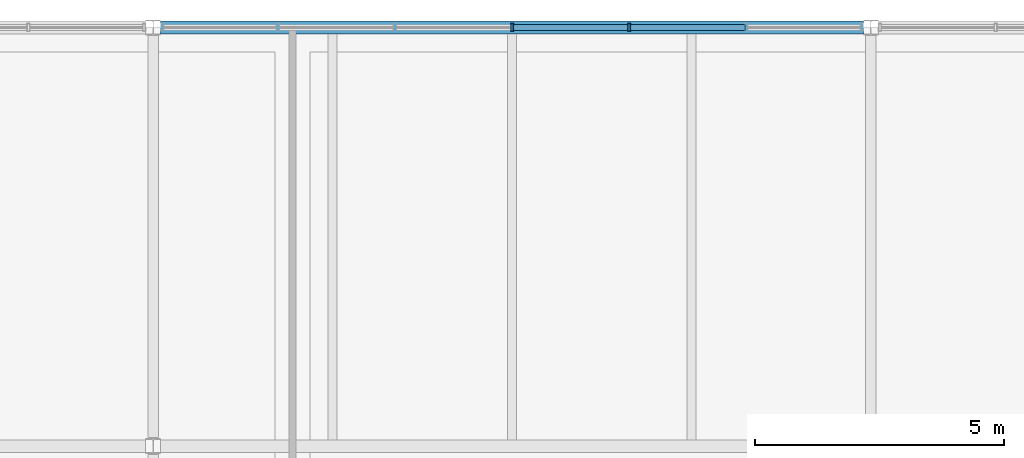
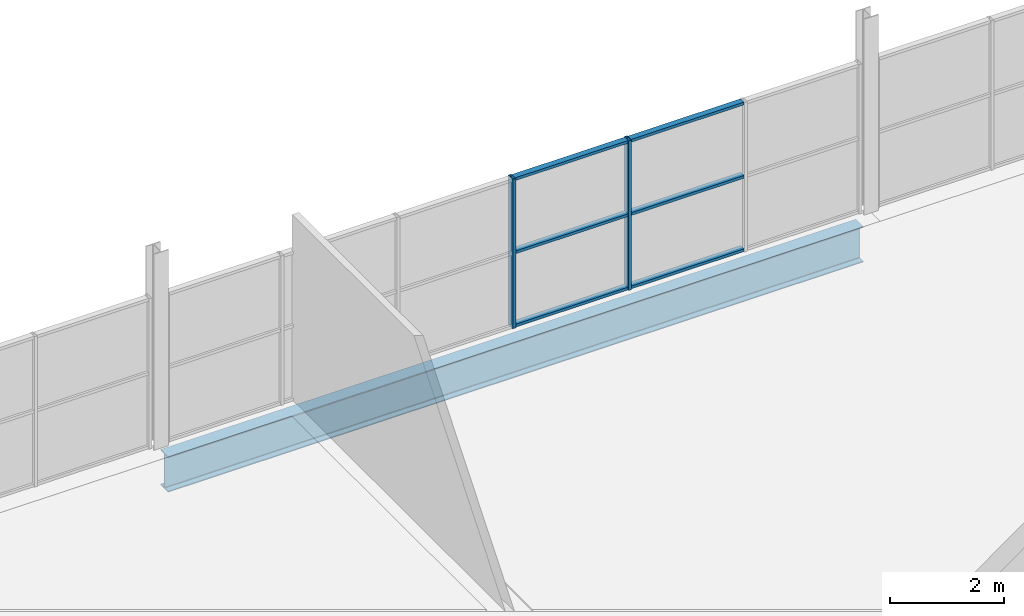
# One storey, part 36 of 68: 8 members, 1 beam, 1 element without a shape of its own.
"""IFC4 building model written with IfcOpenShell, lengths in metres."""

import ifcopenshell
import ifcopenshell.guid

model = None  # the IFC model being written
_history = None  # IfcOwnerHistory: only IFC2X3 demands one
_inside = {}  # id of a spatial element -> (the spatial element, [elements in it])
_under = {}  # id of a project, library or spatial element -> (it, [spatial elements below it])
_declared = {}  # id of a project -> (the project, [libraries it declares])
_typed = {}  # id of a type object -> (the type object, [elements of that type])
_made_of = {}  # id of a material, layer set ... -> (it, [elements and type objects made of it])


def new_model(schema):
    """Start an empty IFC model of exactly this schema.

    Asked for "IFC4X3", IfcOpenShell would pick the latest addendum, in which some entities
    have other attributes; the version numbers below select the first issue.
    IFC2X3 requires an IfcOwnerHistory on every rooted entity: one is made here for all.
    """
    global model, _history
    if schema == "IFC4X3":
        model = ifcopenshell.file(schema_version=(4, 3, 0, 0))
    else:
        model = ifcopenshell.file(schema=schema)
    _inside.clear()
    _under.clear()
    _declared.clear()
    _typed.clear()
    _made_of.clear()
    _history = None
    if model.schema == "IFC2X3":
        org = make("IfcOrganization", Name="unknown")
        user = make(
            "IfcPersonAndOrganization",
            ThePerson=make("IfcPerson", FamilyName="unknown"),
            TheOrganization=org,
        )
        app = make(
            "IfcApplication",
            ApplicationDeveloper=org,
            Version="unknown",
            ApplicationFullName="unknown",
            ApplicationIdentifier="unknown",
        )
        _history = make(
            "IfcOwnerHistory",
            OwningUser=user,
            OwningApplication=app,
            ChangeAction="ADDED",
            CreationDate=0,
        )
    return model


def make(cls, **values):
    """One entity of the class cls with the attributes given. An attribute that is None is left unset."""
    return model.create_entity(
        cls, **{name: value for name, value in values.items() if value is not None}
    )


def rooted(cls, **values):
    """An entity with a GlobalId (a new one), such as an element, a storey or a relation."""
    return make(cls, GlobalId=ifcopenshell.guid.new(), OwnerHistory=_history, **values)


def si_unit(unit_type, name, prefix=None):
    """IfcSIUnit, for example si_unit("LENGTHUNIT", "METRE", prefix="MILLI")."""
    return make("IfcSIUnit", UnitType=unit_type, Prefix=prefix, Name=name)


def assignment(units):
    """IfcUnitAssignment: the units of a project."""
    return None if units is None else make("IfcUnitAssignment", Units=units)


def point(xyz):
    """IfcCartesianPoint."""
    return None if xyz is None else make("IfcCartesianPoint", Coordinates=xyz)


def direction(xyz):
    """IfcDirection."""
    return None if xyz is None else make("IfcDirection", DirectionRatios=xyz)


def frame(location, z_axis=None, x_axis=None):
    """IfcAxis2Placement3D, a coordinate frame: its origin and axes. An axis left out is left unset."""
    return make(
        "IfcAxis2Placement3D",
        Location=point(location),
        Axis=direction(z_axis),
        RefDirection=direction(x_axis),
    )


def frame_2d(location, x_axis=None):
    """IfcAxis2Placement2D, a coordinate frame in the plane: its origin and x axis."""
    return make(
        "IfcAxis2Placement2D", Location=point(location), RefDirection=direction(x_axis)
    )


def origin():
    """The frame at (0, 0, 0) with its axes left unset."""
    return frame((0.0, 0.0, 0.0))


def origin_2d():
    """The frame at (0, 0) in the plane with its x axis left unset."""
    return frame_2d((0.0, 0.0))


def place(relative_to, where):
    """IfcLocalPlacement: puts the frame where relative to a parent placement (None: the world)."""
    return make(
        "IfcLocalPlacement", PlacementRelTo=relative_to, RelativePlacement=where
    )


def context(
    kind, dimensions, precision=None, world=None, true_north=None, identifier=None
):
    """IfcGeometricRepresentationContext, for example the 3D "Model" context."""
    return make(
        "IfcGeometricRepresentationContext",
        ContextIdentifier=identifier,
        ContextType=kind,
        CoordinateSpaceDimension=dimensions,
        Precision=precision,
        WorldCoordinateSystem=world,
        TrueNorth=true_north,
    )


def subcontext(parent, identifier, kind, view, scale=None):
    """IfcGeometricRepresentationSubContext, for example "Body" below "Model"."""
    return make(
        "IfcGeometricRepresentationSubContext",
        ContextIdentifier=identifier,
        ContextType=kind,
        ParentContext=parent,
        TargetScale=scale,
        TargetView=view,
    )


def project(units=None, contexts=None):
    """IfcProject with its units and contexts."""
    return rooted(
        "IfcProject",
        Name="project",
        RepresentationContexts=contexts,
        UnitsInContext=assignment(units),
    )


def spatial(cls, under=None, at=None, **own):
    """A site, building, storey or space (cls), placed at a placement, below another one or the project."""
    s = rooted(cls, ObjectPlacement=at, **own)
    if under is not None:
        _under.setdefault(under.id(), (under, []))[1].append(s)
    return s


def profile(cls, at=None, kind="AREA", **sizes):
    """A parametric profile (cls). Its sizes go by their IFC names, for example OverallWidth=200.0."""
    return make(cls, ProfileType=kind, Position=at, **sizes)


def hollow_rectangle(**sizes):
    """IfcRectangleHollowProfileDef."""
    return profile("IfcRectangleHollowProfileDef", **sizes)


def i_section(**sizes):
    """IfcIShapeProfileDef."""
    return profile("IfcIShapeProfileDef", **sizes)


def extrude(swept, where, along, depth):
    """IfcExtrudedAreaSolid: the profile swept, set in the frame where, extruded along a direction by depth."""
    return make(
        "IfcExtrudedAreaSolid",
        SweptArea=swept,
        Position=where,
        ExtrudedDirection=direction(along),
        Depth=depth,
    )


def shape(context_of_items, identifier, shape_type, items):
    """IfcShapeRepresentation: the items that make up one representation, for example the "Body"."""
    return make(
        "IfcShapeRepresentation",
        ContextOfItems=context_of_items,
        RepresentationIdentifier=identifier,
        RepresentationType=shape_type,
        Items=items,
    )


def material(Name=None, Category=None):
    """IfcMaterial."""
    return make("IfcMaterial", Name=Name, Category=Category)


def material_profile(
    of_material, cross_section, Name=None, Category=None, Priority=None
):
    """IfcMaterialProfile: a cross section and its material."""
    return make(
        "IfcMaterialProfile",
        Name=Name,
        Material=of_material,
        Profile=cross_section,
        Priority=Priority,
        Category=Category,
    )


def profile_set(profiles, Name=None, composite=None):
    """IfcMaterialProfileSet."""
    return make(
        "IfcMaterialProfileSet",
        Name=Name,
        MaterialProfiles=profiles,
        CompositeProfile=composite,
    )


def made_of(thing, what):
    """Note that an element or type object is made of a material, layer set ...; save() writes the relation."""
    if what is not None:
        _made_of.setdefault(what.id(), (what, []))[1].append(thing)
    return thing


def type_object(cls, material=None, **own):
    """A type object (cls), such as IfcWallType, which elements share."""
    return made_of(rooted(cls, **own), material)


def element(
    cls,
    number,
    at=None,
    inside=None,
    cuts=None,
    type_object=None,
    material=None,
    context=None,
    identifier="Body",
    shape_type=None,
    held_by="IfcProductDefinitionShape",
    body=None,
    shapes=None,
    **own,
):
    """One element of the class cls, such as IfcWall. Its Tag is "e" and its number.

    at: its placement. inside: the storey or other place that contains it. cuts: it is an
    opening in that element (IfcRelVoidsElement). A single representation is given by context,
    identifier, shape_type and body (its items); several are given by shapes. held_by: the class
    of the entity that holds the representations. save() writes the other relations.
    """
    e = rooted(cls, Tag="e%d" % number, ObjectPlacement=at, **own)
    if body is not None:
        shapes = [shape(context, identifier, shape_type, body)]
    if shapes is not None:
        e.Representation = make(held_by, Representations=shapes)
    if inside is not None:
        _inside.setdefault(inside.id(), (inside, []))[1].append(e)
    if cuts is not None:
        rooted(
            "IfcRelVoidsElement", RelatingBuildingElement=cuts, RelatedOpeningElement=e
        )
    if type_object is not None:
        _typed.setdefault(type_object.id(), (type_object, []))[1].append(e)
    return made_of(e, material)


def aggregate(whole, parts):
    """IfcRelAggregates: a whole, such as a stair, and the parts it consists of."""
    return rooted("IfcRelAggregates", RelatingObject=whole, RelatedObjects=parts)


def save(model, path):
    """Write the relations noted so far, then the file.

    IfcRelAggregates (storeys below a building ...), IfcRelContainedInSpatialStructure (elements
    in a storey), IfcRelDefinesByType, IfcRelAssociatesMaterial and IfcRelDeclares: one each for
    every whole, place, type object, material and project.
    """
    for whole, parts in _under.values():
        aggregate(whole, parts)
    for where, things in _inside.values():
        rooted(
            "IfcRelContainedInSpatialStructure",
            RelatedElements=things,
            RelatingStructure=where,
        )
    for kind, things in _typed.values():
        rooted("IfcRelDefinesByType", RelatedObjects=things, RelatingType=kind)
    for what, things in _made_of.values():
        rooted("IfcRelAssociatesMaterial", RelatedObjects=things, RelatingMaterial=what)
    for by, libraries in _declared.values():
        rooted("IfcRelDeclares", RelatingContext=by, RelatedDefinitions=libraries)
    model.write(path)


model = new_model("IFC4")

# Units and contexts
model_context = context("Model", 3, precision=1e-05, world=origin(), true_north=direction((0.0, 1.0)))
body_context = subcontext(model_context, "Body", "Model", "MODEL_VIEW")
ifc_project = project(units=[si_unit("LENGTHUNIT", "METRE"), si_unit("AREAUNIT", "SQUARE_METRE"), si_unit("VOLUMEUNIT", "CUBIC_METRE"), si_unit("PLANEANGLEUNIT", "RADIAN"), si_unit("MASSUNIT", "GRAM", prefix="KILO"), si_unit("THERMODYNAMICTEMPERATUREUNIT", "KELVIN")], contexts=[model_context])

# Site, building, storey
site_placement = place(None, origin())
site = spatial("IfcSite", under=ifc_project, at=site_placement, CompositionType="ELEMENT")
building_placement = place(site_placement, origin())
building = spatial("IfcBuilding", under=site, at=building_placement, Name="Nduvali Passage Aquatics Centre", CompositionType="ELEMENT")
storey_placement = place(building_placement, frame((0.0, 0.0, 13.199951171875)))
storey = spatial("IfcBuildingStorey", under=building, at=storey_placement, Name="L03", CompositionType="ELEMENT", Elevation=13.199951171875)

# Curtain wall, members
ifc_material_1 = material(Name="Aluminium EN AW-6063 T6", Category="aluminium")
curtain_wall_type = type_object("IfcCurtainWallType", Name="ENV-CW-WELL", PredefinedType="NOTDEFINED", material=ifc_material_1)
curtain_wall_placement = place(storey_placement, origin())
curtain_wall = element("IfcCurtainWall", 1, at=curtain_wall_placement, inside=storey, type_object=curtain_wall_type, Name="L03 North Avenue Teaching CW 105", PredefinedType="NOTDEFINED")
ifc_material_profile_1 = material_profile(ifc_material_1, hollow_rectangle(XDim=0.06005859375, YDim=0.159912109375, WallThickness=0.00390625, at=origin_2d()), Name="ALU MULLION 60x160x4")
ifc_profile_set_1 = profile_set([ifc_material_profile_1], Name="Aluminium EN AW-6063 T6")
member_type_1 = type_object("IfcMemberType", Name="ENV-MEM-MUL60", PredefinedType="MULLION", material=ifc_profile_set_1)
member_1_placement = place(storey_placement, frame((75.60009765625, 117.60009765625, 0.0), z_axis=(0.0, 0.0, 1.0), x_axis=(1.0, 0.0, 0.0)))
member_1 = element("IfcMember", 2, at=member_1_placement, type_object=member_type_1, Name="North Avenue Teaching CW Mullion 4", PredefinedType="MULLION", context=body_context, shape_type="SweptSolid", body=[
    extrude(hollow_rectangle(XDim=0.06005859375, YDim=0.159912109375, WallThickness=0.00390625, at=origin_2d()), origin(), (0.0, 0.0, 1.0), 3.203857421875),
])
member_2_placement = place(storey_placement, frame((77.949951171875, 117.60009765625, 0.0), z_axis=(0.0, 0.0, 1.0), x_axis=(1.0, 0.0, 0.0)))
member_2 = element("IfcMember", 3, at=member_2_placement, type_object=member_type_1, Name="North Avenue Teaching CW Mullion 5", PredefinedType="MULLION", context=body_context, shape_type="SweptSolid", body=[
    extrude(hollow_rectangle(XDim=0.06005859375, YDim=0.159912109375, WallThickness=0.00390625, at=origin_2d()), origin(), (0.0, 0.0, 1.0), 3.203857421875),
])
ifc_material_profile_2 = material_profile(ifc_material_1, hollow_rectangle(XDim=0.1201171875, YDim=0.06005859375, WallThickness=0.00390625, at=origin_2d()), Name="ALU TRANSOM 120x60x4")
ifc_profile_set_2 = profile_set([ifc_material_profile_2], Name="Aluminium EN AW-6063 T6")
member_type_2 = type_object("IfcMemberType", Name="ENV-MEM-TRN60", PredefinedType="USERDEFINED", material=ifc_profile_set_2)
member_3_placement = place(storey_placement, frame((75.6298828125, 117.60009765625, 0.030029296875), z_axis=(1.0, 0.0, 0.0), x_axis=(0.0, 1.0, 0.0)))
member_3 = element("IfcMember", 4, at=member_3_placement, type_object=member_type_2, Name="North Avenue Teaching CW Transom B4-R0", ObjectType="TRANSOM", PredefinedType="USERDEFINED", context=body_context, shape_type="SweptSolid", body=[
    extrude(hollow_rectangle(XDim=0.1201171875, YDim=0.06005859375, WallThickness=0.00390625, at=origin_2d()), origin(), (0.0, 0.0, 1.0), 2.2900390625),
])
member_4_placement = place(storey_placement, frame((75.6298828125, 117.60009765625, 1.60205078125), z_axis=(1.0, 0.0, 0.0), x_axis=(0.0, 1.0, 0.0)))
member_4 = element("IfcMember", 5, at=member_4_placement, type_object=member_type_2, Name="North Avenue Teaching CW Transom B4-R1", ObjectType="TRANSOM", PredefinedType="USERDEFINED", context=body_context, shape_type="SweptSolid", body=[
    extrude(hollow_rectangle(XDim=0.1201171875, YDim=0.06005859375, WallThickness=0.00390625, at=origin_2d()), origin(), (0.0, 0.0, 1.0), 2.2900390625),
])
member_5_placement = place(storey_placement, frame((75.6298828125, 117.60009765625, 3.173828125), z_axis=(1.0, 0.0, 0.0), x_axis=(0.0, 1.0, 0.0)))
member_5 = element("IfcMember", 6, at=member_5_placement, type_object=member_type_2, Name="North Avenue Teaching CW Transom B4-R2", ObjectType="TRANSOM", PredefinedType="USERDEFINED", context=body_context, shape_type="SweptSolid", body=[
    extrude(hollow_rectangle(XDim=0.1201171875, YDim=0.06005859375, WallThickness=0.00390625, at=origin_2d()), origin(), (0.0, 0.0, 1.0), 2.2900390625),
])
member_6_placement = place(storey_placement, frame((77.97998046875, 117.60009765625, 0.030029296875), z_axis=(1.0, 0.0, 0.0), x_axis=(0.0, 1.0, 0.0)))
member_6 = element("IfcMember", 7, at=member_6_placement, type_object=member_type_2, Name="North Avenue Teaching CW Transom B5-R0", ObjectType="TRANSOM", PredefinedType="USERDEFINED", context=body_context, shape_type="SweptSolid", body=[
    extrude(hollow_rectangle(XDim=0.1201171875, YDim=0.06005859375, WallThickness=0.00390625, at=origin_2d()), origin(), (0.0, 0.0, 1.0), 2.2900390625),
])
member_7_placement = place(storey_placement, frame((77.97998046875, 117.60009765625, 1.60205078125), z_axis=(1.0, 0.0, 0.0), x_axis=(0.0, 1.0, 0.0)))
member_7 = element("IfcMember", 8, at=member_7_placement, type_object=member_type_2, Name="North Avenue Teaching CW Transom B5-R1", ObjectType="TRANSOM", PredefinedType="USERDEFINED", context=body_context, shape_type="SweptSolid", body=[
    extrude(hollow_rectangle(XDim=0.1201171875, YDim=0.06005859375, WallThickness=0.00390625, at=origin_2d()), origin(), (0.0, 0.0, 1.0), 2.2900390625),
])
member_8_placement = place(storey_placement, frame((77.97998046875, 117.60009765625, 3.173828125), z_axis=(1.0, 0.0, 0.0), x_axis=(0.0, 1.0, 0.0)))
member_8 = element("IfcMember", 9, at=member_8_placement, type_object=member_type_2, Name="North Avenue Teaching CW Transom B5-R2", ObjectType="TRANSOM", PredefinedType="USERDEFINED", context=body_context, shape_type="SweptSolid", body=[
    extrude(hollow_rectangle(XDim=0.1201171875, YDim=0.06005859375, WallThickness=0.00390625, at=origin_2d()), origin(), (0.0, 0.0, 1.0), 2.2900390625),
])
aggregate(curtain_wall, [member_1, member_2, member_3, member_4, member_5, member_6, member_7, member_8])

# Beam
ifc_material_2 = material(Name="Steel S355", Category="steel")
ifc_material_profile_3 = material_profile(ifc_material_2, i_section(OverallWidth=0.2666015625, OverallDepth=0.76220703125, WebThickness=0.014404296875, FlangeThickness=0.021484375, FilletRadius=0.0166015625, at=origin_2d()), Name="UKB 762x267x173")
ifc_profile_set_3 = profile_set([ifc_material_profile_3], Name="Steel S355")
beam_type = type_object("IfcBeamType", Name="STR-BM-UKB762-EXT", PredefinedType="BEAM", material=ifc_profile_set_3)
beam_placement = place(storey_placement, frame((68.550048828125, 117.60009765625, -0.635009765625), z_axis=(1.0, 0.0, 0.0), x_axis=(0.0, 1.0, 0.0)))
element("IfcBeam", 10, at=beam_placement, inside=storey, type_object=beam_type, Name="L03 Primary X-Girder B4CE-1235", PredefinedType="BEAM", context=body_context, shape_type="SweptSolid", body=[
    extrude(i_section(OverallWidth=0.2666015625, OverallDepth=0.76220703125, WebThickness=0.014404296875, FlangeThickness=0.021484375, FilletRadius=0.0166015625, at=origin_2d()), origin(), (0.0, 0.0, 1.0), 14.099853515625),
])

save(model, "model.ifc")
